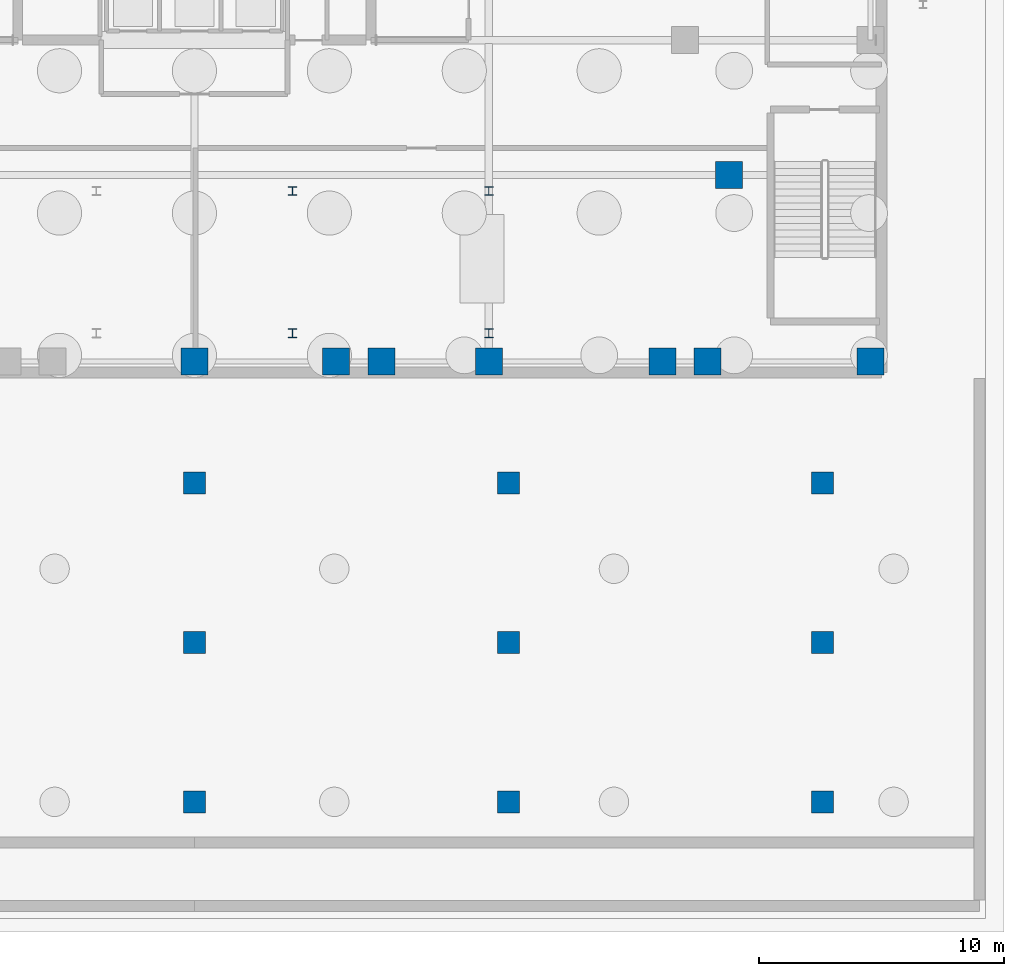
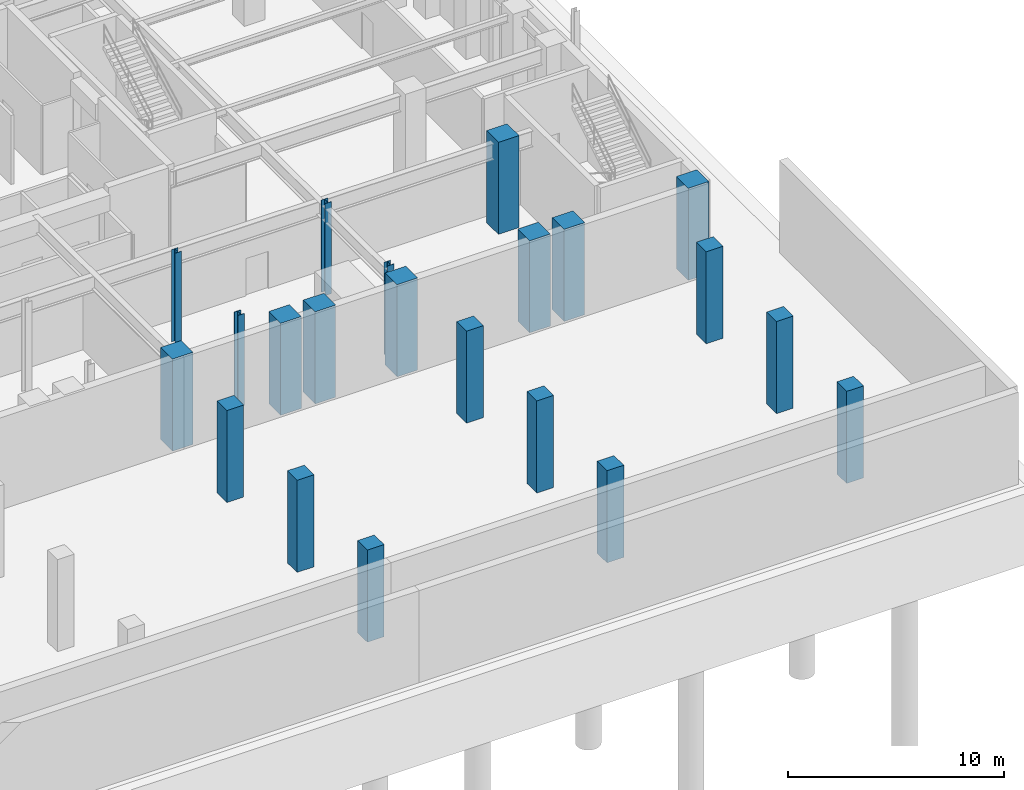
# One storey, part 3 of 18: 21 columns.
"""IFC4 building model written with IfcOpenShell, lengths in metres."""

from ifc_helpers import new_model, si_unit, direction, frame, origin, origin_2d, place, context, subcontext, project, spatial, rectangle, i_section, extrude, material, material_profile, profile_set, type_object, element, save


model = new_model("IFC4")

# Units and contexts
model_context = context("Model", 3, precision=1e-05, world=origin(), true_north=direction((0.0, 1.0)))
body_context = subcontext(model_context, "Body", "Model", "MODEL_VIEW")
ifc_project = project(units=[si_unit("LENGTHUNIT", "METRE"), si_unit("AREAUNIT", "SQUARE_METRE"), si_unit("VOLUMEUNIT", "CUBIC_METRE"), si_unit("PLANEANGLEUNIT", "RADIAN"), si_unit("MASSUNIT", "GRAM", prefix="KILO")], contexts=[model_context])

# Site, building, storey
site_placement = place(None, origin())
site = spatial("IfcSite", under=ifc_project, at=site_placement, CompositionType="ELEMENT")
building_placement = place(site_placement, origin())
building = spatial("IfcBuilding", under=site, at=building_placement, Name="Veldorina Hangang Commons", CompositionType="ELEMENT")
storey_placement = place(building_placement, frame((0.0, 0.0, -10.39990234375)))
storey = spatial("IfcBuildingStorey", under=building, at=storey_placement, Name="B02", CompositionType="ELEMENT", Elevation=-10.39990234375)

# Columns
ifc_material_1 = material(Name="Steel SM420-TMC", Category="steel")
ifc_material_profile_1 = material_profile(ifc_material_1, i_section(OverallWidth=0.35009765625, OverallDepth=0.35009765625, WebThickness=0.011962890625, FlangeThickness=0.01904296875, FilletRadius=0.01611328125, at=origin_2d()), Name="H-350x350x12x19")
ifc_profile_set_1 = profile_set([ifc_material_profile_1], Name="Steel SM420-TMC")
column_type_1 = type_object("IfcColumnType", Name="COL-H350", PredefinedType="COLUMN", material=ifc_profile_set_1)
for number, where, z_axis, x_axis, name in (
    (1, (36.0, 4.60009765625, 0.0), (0.0, 0.0, 1.0), (1.0, 0.0, 0.0), "B02 vehicle ramp support column 3S"),
    (2, (36.0, 10.39990234375, 0.0), (0.0, 0.0, 1.0), (1.0, 0.0, 0.0), "B02 vehicle ramp support column 3N"),
    (3, (44.0, 4.60009765625, 0.0), (0.0, 0.0, 1.0), (1.0, 0.0, 0.0), "B02 vehicle ramp support column 4S"),
    (4, (44.0, 10.39990234375, 0.0), (0.0, 0.0, 1.0), (1.0, 0.0, 0.0), "B02 vehicle ramp support column 4N"),
):
    element("IfcColumn", number, at=place(storey_placement, frame(where, z_axis=z_axis, x_axis=x_axis)), inside=storey, type_object=column_type_1, Name=name, PredefinedType="COLUMN", context=body_context, shape_type="SweptSolid", body=[
        extrude(i_section(OverallWidth=0.35009765625, OverallDepth=0.35009765625, WebThickness=0.011962890625, FlangeThickness=0.01904296875, FilletRadius=0.01611328125, at=origin_2d()), origin(), (0.0, 0.0, 1.0), 5.199951171875),
    ])
ifc_material_2 = material(Name="Concrete C60/75", Category="concrete")
ifc_material_profile_2 = material_profile(ifc_material_2, rectangle(XDim=1.10009765625, YDim=1.10009765625, at=origin_2d()), Name="RC-COL-1100x1100")
ifc_profile_set_2 = profile_set([ifc_material_profile_2], Name="Concrete C60/75")
column_type_2 = type_object("IfcColumnType", Name="COL-RC1100", PredefinedType="COLUMN", material=ifc_profile_set_2)
for number, where, z_axis, x_axis, name in (
    (5, (32.0, 3.449951171875, 0.0), (0.0, 0.0, 1.0), (1.0, 0.0, 0.0), "B02 structural column S4"),
    (6, (44.0, 3.449951171875, 0.0), (0.0, 0.0, 1.0), (1.0, 0.0, 0.0), "B02 structural column S5"),
    (7, (59.550048828125, 3.449951171875, 0.0), (0.0, 0.0, 1.0), (1.0, 0.0, 0.0), "B02 structural column S7"),
    (8, (37.780029296875, 3.449951171875, 0.0), (0.0, 0.0, 1.0), (1.0, 0.0, 0.0), "B02 structural column VC-3L"),
    (9, (39.6201171875, 3.449951171875, 0.0), (0.0, 0.0, 1.0), (1.0, 0.0, 0.0), "B02 structural column VC-3R"),
    (10, (51.080078125, 3.449951171875, 0.0), (0.0, 0.0, 1.0), (1.0, 0.0, 0.0), "B02 structural column VC-4L"),
    (11, (52.919921875, 3.449951171875, 0.0), (0.0, 0.0, 1.0), (1.0, 0.0, 0.0), "B02 structural column VC-4R"),
    (12, (53.800048828125, 11.050048828125, 0.0), (0.0, 0.0, 1.0), (1.0, 0.0, 0.0), "B02 structural column BM6"),
):
    element("IfcColumn", number, at=place(storey_placement, frame(where, z_axis=z_axis, x_axis=x_axis)), inside=storey, type_object=column_type_2, Name=name, PredefinedType="COLUMN", context=body_context, shape_type="SweptSolid", body=[
        extrude(rectangle(XDim=1.10009765625, YDim=1.10009765625, at=origin_2d()), origin(), (0.0, 0.0, 1.0), 5.199951171875),
    ])
ifc_material_3 = material(Name="Concrete C50/60", Category="concrete")
ifc_material_profile_3 = material_profile(ifc_material_3, rectangle(XDim=0.89990234375, YDim=0.89990234375, at=origin_2d()), Name="RC-COL-900x900")
ifc_profile_set_3 = profile_set([ifc_material_profile_3], Name="Concrete C50/60")
column_type_3 = type_object("IfcColumnType", Name="COL-RC900", PredefinedType="COLUMN", material=ifc_profile_set_3)
for number, where, z_axis, x_axis, name in (
    (13, (32.0, -14.5, 0.0), (0.0, 0.0, 1.0), (1.0, 0.0, 0.0), "B02 promenade substructure column 13"),
    (14, (44.800048828125, -14.5, 0.0), (0.0, 0.0, 1.0), (1.0, 0.0, 0.0), "B02 promenade substructure column 14"),
    (15, (57.60009765625, -14.5, 0.0), (0.0, 0.0, 1.0), (1.0, 0.0, 0.0), "B02 promenade substructure column 15"),
    (16, (32.0, -8.0, 0.0), (0.0, 0.0, 1.0), (1.0, 0.0, 0.0), "B02 promenade substructure column 23"),
    (17, (44.800048828125, -8.0, 0.0), (0.0, 0.0, 1.0), (1.0, 0.0, 0.0), "B02 promenade substructure column 24"),
    (18, (57.60009765625, -8.0, 0.0), (0.0, 0.0, 1.0), (1.0, 0.0, 0.0), "B02 promenade substructure column 25"),
    (19, (32.0, -1.5, 0.0), (0.0, 0.0, 1.0), (1.0, 0.0, 0.0), "B02 promenade substructure column 33"),
    (20, (44.800048828125, -1.5, 0.0), (0.0, 0.0, 1.0), (1.0, 0.0, 0.0), "B02 promenade substructure column 34"),
    (21, (57.60009765625, -1.5, 0.0), (0.0, 0.0, 1.0), (1.0, 0.0, 0.0), "B02 promenade substructure column 35"),
):
    element("IfcColumn", number, at=place(storey_placement, frame(where, z_axis=z_axis, x_axis=x_axis)), inside=storey, type_object=column_type_3, Name=name, PredefinedType="COLUMN", context=body_context, shape_type="SweptSolid", body=[
        extrude(rectangle(XDim=0.89990234375, YDim=0.89990234375, at=origin_2d()), origin(), (0.0, 0.0, 1.0), 5.199951171875),
    ])

save(model, "model.ifc")
